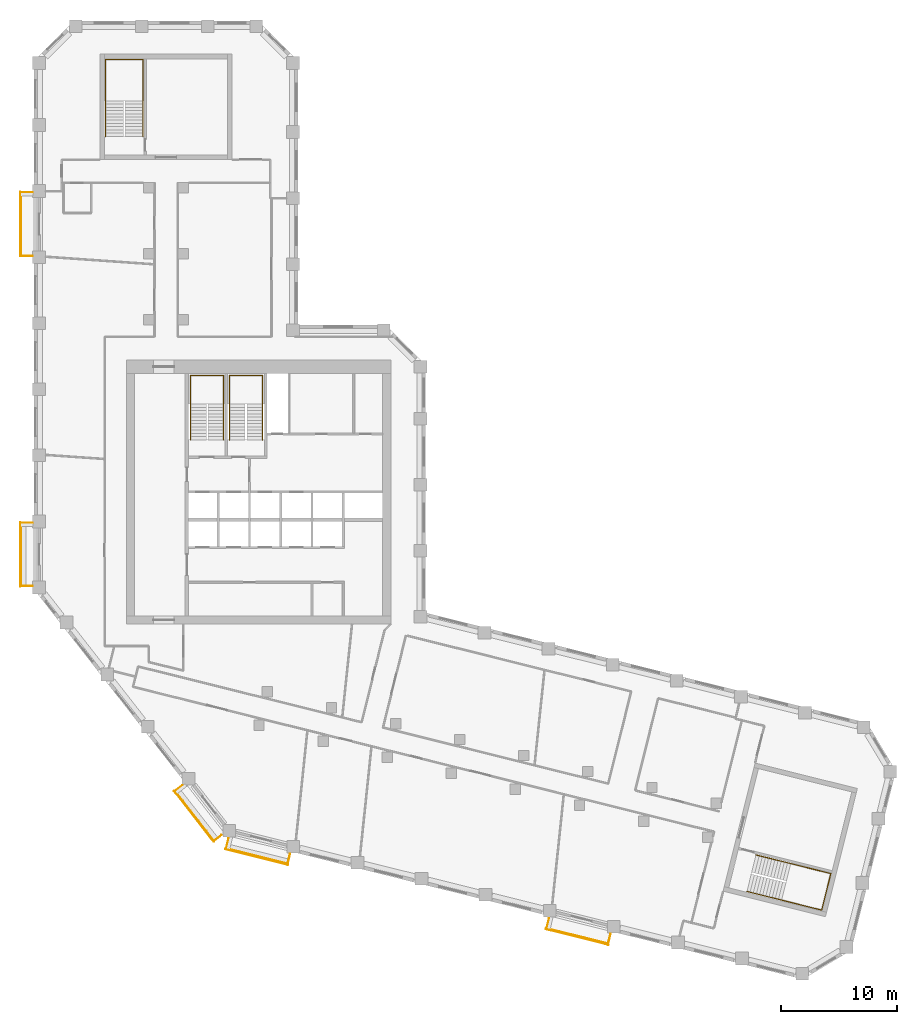
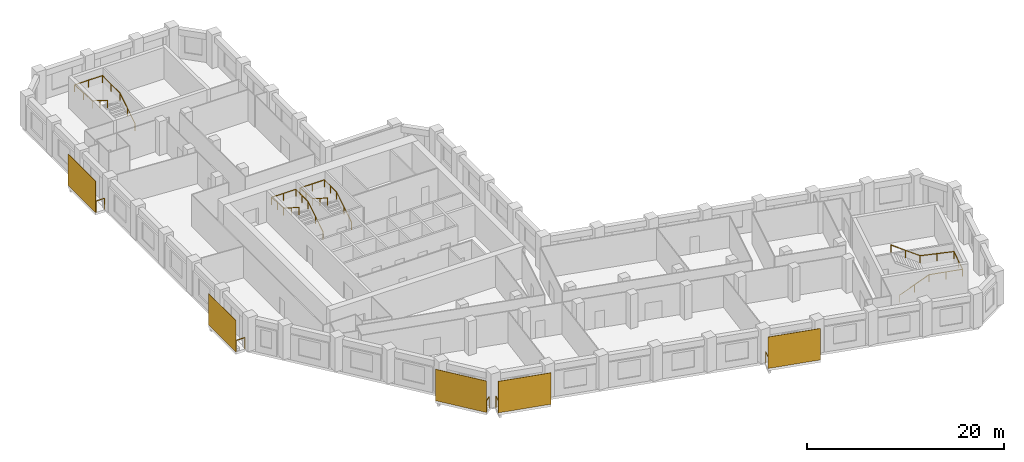
# One storey, part 10 of 10: 9 railings, 5 shading devices.
"""IFC4 building model written with IfcOpenShell, lengths in metres."""

from ifc_helpers import new_model, si_unit, direction, frame, origin, origin_2d, place, context, subcontext, project, spatial, rectangle, circle, extrude, material, layer, layer_set, type_object, element, save


model = new_model("IFC4")

# Units and contexts
model_context = context("Model", 3, precision=1e-05, world=origin(), true_north=direction((0.0, 1.0)))
body_context = subcontext(model_context, "Body", "Model", "MODEL_VIEW")
ifc_project = project(units=[si_unit("LENGTHUNIT", "METRE"), si_unit("AREAUNIT", "SQUARE_METRE"), si_unit("VOLUMEUNIT", "CUBIC_METRE"), si_unit("PLANEANGLEUNIT", "RADIAN"), si_unit("MASSUNIT", "GRAM", prefix="KILO")], contexts=[model_context])

# Site, building, storey
site_placement = place(None, origin())
site = spatial("IfcSite", under=ifc_project, at=site_placement, CompositionType="ELEMENT")
building_placement = place(site_placement, origin())
building = spatial("IfcBuilding", under=site, at=building_placement, Name="Meshkara Civic Tower", CompositionType="ELEMENT")
storey_placement = place(building_placement, frame((0.0, 0.0, 234.0)))
storey = spatial("IfcBuildingStorey", under=building, at=storey_placement, Name="L53", CompositionType="ELEMENT", Elevation=234.0)

# Railings
ifc_material_1 = material(Name="Steel S355", Category="steel")
railing_type_1 = type_object("IfcRailingType", Name="BALUSTRADE GUARD 1400", PredefinedType="BALUSTRADE", material=ifc_material_1)
for number, where, name in (
    (1, (-0.10009765625, 51.3349609375, 0.0), "Balcony guard"),
    (2, (-0.10009765625, 22.8349609375, 0.0), "Balcony guard"),
):
    element("IfcRailing", number, at=place(storey_placement, frame(where)), inside=storey, type_object=railing_type_1, Name=name, PredefinedType="BALUSTRADE", context=body_context, shape_type="SweptSolid", body=[
        extrude(circle(Radius=0.02392578125, at=origin_2d()), frame((0.0, 0.0, 1.3759765625), z_axis=(-1.0, 0.0, 0.0), x_axis=(0.0, -1.0, 0.0)), (0.0, 0.0, 1.0), 1.010009765625),
        extrude(circle(Radius=0.02392578125, at=origin_2d()), frame((-1.010009765625, 0.0, 1.3759765625), z_axis=(0.0, -1.0, 0.0), x_axis=(1.0, 0.0, 0.0)), (0.0, 0.0, 1.0), 5.4599609375),
        extrude(circle(Radius=0.02392578125, at=origin_2d()), frame((-1.010009765625, -5.4599609375, 1.3759765625), z_axis=(1.0, 0.0, 0.0), x_axis=(0.0, 1.0, 0.0)), (0.0, 0.0, 1.0), 1.010009765625),
        extrude(circle(Radius=0.02099609375, at=origin_2d()), origin(), (0.0, 0.0, 1.0), 1.351806640625),
        extrude(circle(Radius=0.02099609375, at=origin_2d()), frame((-1.010009765625, 0.0, 0.0)), (0.0, 0.0, 1.0), 1.351806640625),
        extrude(circle(Radius=0.02099609375, at=origin_2d()), frame((-1.010009765625, -1.092041015625, 0.0)), (0.0, 0.0, 1.0), 1.351806640625),
        extrude(circle(Radius=0.02099609375, at=origin_2d()), frame((-1.010009765625, -2.18408203125, 0.0)), (0.0, 0.0, 1.0), 1.351806640625),
        extrude(circle(Radius=0.02099609375, at=origin_2d()), frame((-1.010009765625, -3.27587890625, 0.0)), (0.0, 0.0, 1.0), 1.351806640625),
        extrude(circle(Radius=0.02099609375, at=origin_2d()), frame((-1.010009765625, -4.367919921875, 0.0)), (0.0, 0.0, 1.0), 1.351806640625),
        extrude(circle(Radius=0.02099609375, at=origin_2d()), frame((-1.010009765625, -5.4599609375, 0.0)), (0.0, 0.0, 1.0), 1.351806640625),
        extrude(circle(Radius=0.02099609375, at=origin_2d()), frame((0.0, -5.4599609375, 0.0)), (0.0, 0.0, 1.0), 1.351806640625),
    ])
railing_1_placement = place(storey_placement, frame((12.806884765625, 0.18408203125, 0.0)))
element("IfcRailing", 3, at=railing_1_placement, inside=storey, type_object=railing_type_1, Name="Balcony guard", PredefinedType="BALUSTRADE", context=body_context, shape_type="SweptSolid", body=[
    extrude(circle(Radius=0.02392578125, at=origin_2d()), frame((0.0, 0.0, 1.3759765625), z_axis=(-0.787982092171, -0.615698158531, 0.0), x_axis=(0.615698158531, -0.787982092171, 0.0)), (0.0, 0.0, 1.0), 0.787841796875),
    extrude(circle(Radius=0.02392578125, at=origin_2d()), frame((-0.620849609375, -0.485107421875, 1.3759765625), z_axis=(0.615684818606, -0.787992515281, 0.0), x_axis=(0.787992515281, 0.615684818606, 0.0)), (0.0, 0.0, 1.0), 5.460693359375),
    extrude(circle(Radius=0.02392578125, at=origin_2d()), frame((2.7412109375, -4.7880859375, 1.3759765625), z_axis=(0.787982092171, 0.615698158531, 0.0), x_axis=(-0.615698158531, 0.787982092171, 0.0)), (0.0, 0.0, 1.0), 0.787841796875),
    extrude(circle(Radius=0.02099609375, at=origin_2d()), origin(), (0.0, 0.0, 1.0), 1.351806640625),
    extrude(circle(Radius=0.02099609375, at=origin_2d()), frame((-0.620849609375, -0.485107421875, 0.0)), (0.0, 0.0, 1.0), 1.351806640625),
    extrude(circle(Radius=0.02099609375, at=origin_2d()), frame((0.051513671875, -1.345703125, 0.0)), (0.0, 0.0, 1.0), 1.351806640625),
    extrude(circle(Radius=0.02099609375, at=origin_2d()), frame((0.723876953125, -2.206298828125, 0.0)), (0.0, 0.0, 1.0), 1.351806640625),
    extrude(circle(Radius=0.02099609375, at=origin_2d()), frame((1.396484375, -3.06689453125, 0.0)), (0.0, 0.0, 1.0), 1.351806640625),
    extrude(circle(Radius=0.02099609375, at=origin_2d()), frame((2.06884765625, -3.927490234375, 0.0)), (0.0, 0.0, 1.0), 1.351806640625),
    extrude(circle(Radius=0.02099609375, at=origin_2d()), frame((2.7412109375, -4.7880859375, 0.0)), (0.0, 0.0, 1.0), 1.351806640625),
    extrude(circle(Radius=0.02099609375, at=origin_2d()), frame((3.362060546875, -4.302978515625, 0.0)), (0.0, 0.0, 1.0), 1.351806640625),
])
railing_2_placement = place(storey_placement, frame((16.805908203125, -4.4140625, 0.0)))
element("IfcRailing", 4, at=railing_2_placement, inside=storey, type_object=railing_type_1, Name="Balcony guard", PredefinedType="BALUSTRADE", context=body_context, shape_type="SweptSolid", body=[
    extrude(circle(Radius=0.02392578125, at=origin_2d()), frame((0.0, 0.0, 1.3759765625), z_axis=(-0.241571021463, -0.970383141645, 0.0), x_axis=(0.970383141645, -0.241571021463, 0.0)), (0.0, 0.0, 1.0), 0.893310546875),
    extrude(circle(Radius=0.02392578125, at=origin_2d()), frame((-0.2158203125, -0.866943359375, 1.3759765625), z_axis=(0.9703315887, -0.241778013829, 0.0), x_axis=(0.241778013829, 0.9703315887, 0.0)), (0.0, 0.0, 1.0), 5.459716796875),
    extrude(circle(Radius=0.02392578125, at=origin_2d()), frame((5.08203125, -2.18701171875, 1.3759765625), z_axis=(0.242085058395, 0.97025503065, 0.0), x_axis=(-0.97025503065, 0.242085058395, 0.0)), (0.0, 0.0, 1.0), 0.892578125),
    extrude(circle(Radius=0.02099609375, at=origin_2d()), origin(), (0.0, 0.0, 1.0), 1.351806640625),
    extrude(circle(Radius=0.02099609375, at=origin_2d()), frame((-0.2158203125, -0.866943359375, 0.0)), (0.0, 0.0, 1.0), 1.351806640625),
    extrude(circle(Radius=0.02099609375, at=origin_2d()), frame((0.84375, -1.130859375, 0.0)), (0.0, 0.0, 1.0), 1.351806640625),
    extrude(circle(Radius=0.02099609375, at=origin_2d()), frame((1.9033203125, -1.39501953125, 0.0)), (0.0, 0.0, 1.0), 1.351806640625),
    extrude(circle(Radius=0.02099609375, at=origin_2d()), frame((2.962890625, -1.658935546875, 0.0)), (0.0, 0.0, 1.0), 1.351806640625),
    extrude(circle(Radius=0.02099609375, at=origin_2d()), frame((4.0224609375, -1.923095703125, 0.0)), (0.0, 0.0, 1.0), 1.351806640625),
    extrude(circle(Radius=0.02099609375, at=origin_2d()), frame((5.08203125, -2.18701171875, 0.0)), (0.0, 0.0, 1.0), 1.351806640625),
    extrude(circle(Radius=0.02099609375, at=origin_2d()), frame((5.298095703125, -1.321044921875, 0.0)), (0.0, 0.0, 1.0), 1.351806640625),
])
railing_3_placement = place(storey_placement, frame((44.4599609375, -11.30810546875, 0.0)))
element("IfcRailing", 5, at=railing_3_placement, inside=storey, type_object=railing_type_1, Name="Balcony guard", PredefinedType="BALUSTRADE", context=body_context, shape_type="SweptSolid", body=[
    extrude(circle(Radius=0.02392578125, at=origin_2d()), frame((0.0, 0.0, 1.3759765625), z_axis=(-0.241828319243, -0.97031905269, 0.0), x_axis=(0.97031905269, -0.241828319243, 0.0)), (0.0, 0.0, 1.0), 0.8935546875),
    extrude(circle(Radius=0.02392578125, at=origin_2d()), frame((-0.216064453125, -0.866943359375, 1.3759765625), z_axis=(0.970281759871, -0.241977904902, 0.0), x_axis=(0.241977904902, 0.970281759871, 0.0)), (0.0, 0.0, 1.0), 5.45947265625),
    extrude(circle(Radius=0.02392578125, at=origin_2d()), frame((5.0810546875, -2.18798828125, 1.3759765625), z_axis=(0.241764216879, 0.970335026389, 0.0), x_axis=(-0.970335026389, 0.241764216879, 0.0)), (0.0, 0.0, 1.0), 0.893798828125),
    extrude(circle(Radius=0.02099609375, at=origin_2d()), origin(), (0.0, 0.0, 1.0), 1.351806640625),
    extrude(circle(Radius=0.02099609375, at=origin_2d()), frame((-0.216064453125, -0.866943359375, 0.0)), (0.0, 0.0, 1.0), 1.351806640625),
    extrude(circle(Radius=0.02099609375, at=origin_2d()), frame((0.84326171875, -1.131103515625, 0.0)), (0.0, 0.0, 1.0), 1.351806640625),
    extrude(circle(Radius=0.02099609375, at=origin_2d()), frame((1.90283203125, -1.395263671875, 0.0)), (0.0, 0.0, 1.0), 1.351806640625),
    extrude(circle(Radius=0.02099609375, at=origin_2d()), frame((2.962158203125, -1.65966796875, 0.0)), (0.0, 0.0, 1.0), 1.351806640625),
    extrude(circle(Radius=0.02099609375, at=origin_2d()), frame((4.021728515625, -1.923828125, 0.0)), (0.0, 0.0, 1.0), 1.351806640625),
    extrude(circle(Radius=0.02099609375, at=origin_2d()), frame((5.0810546875, -2.18798828125, 0.0)), (0.0, 0.0, 1.0), 1.351806640625),
    extrude(circle(Radius=0.02099609375, at=origin_2d()), frame((5.297119140625, -1.32080078125, 0.0)), (0.0, 0.0, 1.0), 1.351806640625),
])

# Shading devices
ifc_material_2 = material(Name="Perforated bronze anodised aluminium sheet", Category="aluminium")
ifc_layer = layer(ifc_material_2, 0.0400390625)
ifc_layer_set = layer_set([ifc_layer], Name="PERFORATED BRONZE SCREEN")
shading_device_type = type_object("IfcShadingDeviceType", Name="PERFORATED BRONZE SCREEN", PredefinedType="USERDEFINED", material=ifc_layer_set)
for number, where, z_axis, x_axis, name in (
    (6, (-1.179931640625, 48.60498046875, 0.0), (0.0, 0.0, 1.0), (0.0, -1.0, 0.0), "Balcony screen"),
    (7, (-1.179931640625, 20.10498046875, 0.0), (0.0, 0.0, 1.0), (0.0, -1.0, 0.0), "Balcony screen"),
    (8, (13.81201171875, -2.4951171875, 0.0), (0.0, 0.0, 1.0), (0.615661475326, -0.788010753607, 0.0), "Balcony screen"),
    (9, (19.221923828125, -6.009033203125, 0.0), (0.0, 0.0, 1.0), (0.970299948462, -0.241904960708, 0.0), "Balcony screen"),
):
    element("IfcShadingDevice", number, at=place(storey_placement, frame(where, z_axis=z_axis, x_axis=x_axis)), inside=storey, type_object=shading_device_type, Name=name, ObjectType="SCREEN", PredefinedType="USERDEFINED", context=body_context, shape_type="SweptSolid", body=[
        extrude(rectangle(XDim=5.580078125, YDim=0.0400390625, at=origin_2d()), origin(), (0.0, 0.0, 1.0), 3.89990234375),
    ])
shading_device_placement = place(storey_placement, frame((46.8759765625, -12.903076171875, 0.0), z_axis=(0.0, 0.0, 1.0), x_axis=(0.970299948462, -0.241904960708, 0.0)))
element("IfcShadingDevice", 10, at=shading_device_placement, inside=storey, type_object=shading_device_type, Name="Balcony screen", ObjectType="SCREEN", PredefinedType="USERDEFINED", context=body_context, shape_type="SweptSolid", body=[
    extrude(rectangle(XDim=5.5791015625, YDim=0.0400390625, at=origin_2d()), origin(), (0.0, 0.0, 1.0), 3.89990234375),
])

# Railings
ifc_material_3 = material(Name="Steel handrail", Category="steel")
railing_type_2 = type_object("IfcRailingType", Name="Stair handrail 900", PredefinedType="HANDRAIL", material=ifc_material_3)
railing_4_placement = place(storey_placement, frame((16.375, 30.0, 0.175048828125)))
element("IfcRailing", 11, at=railing_4_placement, inside=storey, type_object=railing_type_2, Name="L53 ST1 stair handrail 1", PredefinedType="HANDRAIL", context=body_context, shape_type="SweptSolid", body=[
    extrude(circle(Radius=0.02392578125, at=origin_2d()), frame((0.0, 0.0, 0.8759765625), z_axis=(0.0, 0.847998304005, 0.529998940003), x_axis=(-1.0, 0.0, 0.0)), (0.0, 0.0, 1.0), 3.632080078125),
    extrude(circle(Radius=0.02392578125, at=origin_2d()), frame((0.0, 3.080078125, 2.80078125), z_axis=(0.0, 1.0, 0.0), x_axis=(-1.0, 0.0, 0.0)), (0.0, 0.0, 1.0), 2.469970703125),
    extrude(circle(Radius=0.02392578125, at=origin_2d()), frame((0.0, 5.550048828125, 2.80078125), z_axis=(-1.0, 0.0, 0.0), x_axis=(0.0, -1.0, 0.0)), (0.0, 0.0, 1.0), 2.85009765625),
    extrude(circle(Radius=0.02392578125, at=origin_2d()), frame((-2.85009765625, 5.550048828125, 2.80078125), z_axis=(0.0, -0.997505032726, 0.070595394231), x_axis=(1.0, 0.0, 0.0)), (0.0, 0.0, 1.0), 2.47607421875),
    extrude(circle(Radius=0.02392578125, at=origin_2d()), frame((-2.85009765625, 3.080078125, 2.9755859375), z_axis=(0.0, -0.847998304005, 0.529998940003), x_axis=(1.0, 0.0, 0.0)), (0.0, 0.0, 1.0), 3.632080078125),
    extrude(circle(Radius=0.02099609375, at=origin_2d()), origin(), (0.0, 0.0, 1.0), 0.851806640625),
    extrude(circle(Radius=0.02099609375, at=origin_2d()), frame((0.0, 1.5400390625, 0.96240234375)), (0.0, 0.0, 1.0), 0.851806640625),
    extrude(circle(Radius=0.02099609375, at=origin_2d()), frame((0.0, 3.080078125, 1.925048828125)), (0.0, 0.0, 1.0), 0.851806640625),
    extrude(circle(Radius=0.02099609375, at=origin_2d()), frame((0.0, 4.31494140625, 1.925048828125)), (0.0, 0.0, 1.0), 0.851806640625),
    extrude(circle(Radius=0.02099609375, at=origin_2d()), frame((0.0, 5.550048828125, 1.925048828125)), (0.0, 0.0, 1.0), 0.851806640625),
    extrude(circle(Radius=0.02099609375, at=origin_2d()), frame((-1.425048828125, 5.550048828125, 1.925048828125)), (0.0, 0.0, 1.0), 0.851806640625),
    extrude(circle(Radius=0.02099609375, at=origin_2d()), frame((-2.85009765625, 5.550048828125, 1.925048828125)), (0.0, 0.0, 1.0), 0.851806640625),
    extrude(circle(Radius=0.02099609375, at=origin_2d()), frame((-2.85009765625, 4.31494140625, 2.012451171875)), (0.0, 0.0, 1.0), 0.851806640625),
    extrude(circle(Radius=0.02099609375, at=origin_2d()), frame((-2.85009765625, 3.080078125, 2.099853515625)), (0.0, 0.0, 1.0), 0.851806640625),
    extrude(circle(Radius=0.02099609375, at=origin_2d()), frame((-2.85009765625, 1.5400390625, 3.0625)), (0.0, 0.0, 1.0), 0.851806640625),
    extrude(circle(Radius=0.02099609375, at=origin_2d()), frame((-2.85009765625, 0.0, 4.02490234375)), (0.0, 0.0, 1.0), 0.851806640625),
])
railing_5_placement = place(storey_placement, frame((19.72509765625, 30.0, 0.175048828125)))
element("IfcRailing", 12, at=railing_5_placement, inside=storey, type_object=railing_type_2, Name="L53 ST2 stair handrail 1", PredefinedType="HANDRAIL", context=body_context, shape_type="SweptSolid", body=[
    extrude(circle(Radius=0.02392578125, at=origin_2d()), frame((0.0, 0.0, 0.8759765625), z_axis=(0.0, 0.847998304005, 0.529998940003), x_axis=(-1.0, 0.0, 0.0)), (0.0, 0.0, 1.0), 3.632080078125),
    extrude(circle(Radius=0.02392578125, at=origin_2d()), frame((0.0, 3.080078125, 2.80078125), z_axis=(0.0, 1.0, 0.0), x_axis=(-1.0, 0.0, 0.0)), (0.0, 0.0, 1.0), 2.469970703125),
    extrude(circle(Radius=0.02392578125, at=origin_2d()), frame((0.0, 5.550048828125, 2.80078125), z_axis=(-1.0, 0.0, 0.0), x_axis=(0.0, -1.0, 0.0)), (0.0, 0.0, 1.0), 2.85009765625),
    extrude(circle(Radius=0.02392578125, at=origin_2d()), frame((-2.85009765625, 5.550048828125, 2.80078125), z_axis=(0.0, -0.997505032726, 0.070595394231), x_axis=(1.0, 0.0, 0.0)), (0.0, 0.0, 1.0), 2.47607421875),
    extrude(circle(Radius=0.02392578125, at=origin_2d()), frame((-2.85009765625, 3.080078125, 2.9755859375), z_axis=(0.0, -0.847998304005, 0.529998940003), x_axis=(1.0, 0.0, 0.0)), (0.0, 0.0, 1.0), 3.632080078125),
    extrude(circle(Radius=0.02099609375, at=origin_2d()), origin(), (0.0, 0.0, 1.0), 0.851806640625),
    extrude(circle(Radius=0.02099609375, at=origin_2d()), frame((0.0, 1.5400390625, 0.96240234375)), (0.0, 0.0, 1.0), 0.851806640625),
    extrude(circle(Radius=0.02099609375, at=origin_2d()), frame((0.0, 3.080078125, 1.925048828125)), (0.0, 0.0, 1.0), 0.851806640625),
    extrude(circle(Radius=0.02099609375, at=origin_2d()), frame((0.0, 4.31494140625, 1.925048828125)), (0.0, 0.0, 1.0), 0.851806640625),
    extrude(circle(Radius=0.02099609375, at=origin_2d()), frame((0.0, 5.550048828125, 1.925048828125)), (0.0, 0.0, 1.0), 0.851806640625),
    extrude(circle(Radius=0.02099609375, at=origin_2d()), frame((-1.425048828125, 5.550048828125, 1.925048828125)), (0.0, 0.0, 1.0), 0.851806640625),
    extrude(circle(Radius=0.02099609375, at=origin_2d()), frame((-2.85009765625, 5.550048828125, 1.925048828125)), (0.0, 0.0, 1.0), 0.851806640625),
    extrude(circle(Radius=0.02099609375, at=origin_2d()), frame((-2.85009765625, 4.31494140625, 2.012451171875)), (0.0, 0.0, 1.0), 0.851806640625),
    extrude(circle(Radius=0.02099609375, at=origin_2d()), frame((-2.85009765625, 3.080078125, 2.099853515625)), (0.0, 0.0, 1.0), 0.851806640625),
    extrude(circle(Radius=0.02099609375, at=origin_2d()), frame((-2.85009765625, 1.5400390625, 3.0625)), (0.0, 0.0, 1.0), 0.851806640625),
    extrude(circle(Radius=0.02099609375, at=origin_2d()), frame((-2.85009765625, 0.0, 4.02490234375)), (0.0, 0.0, 1.0), 0.851806640625),
])
railing_6_placement = place(storey_placement, frame((9.425048828125, 56.169921875, 0.175048828125)))
element("IfcRailing", 13, at=railing_6_placement, inside=storey, type_object=railing_type_2, Name="L53 ESA4 stair handrail 1", PredefinedType="HANDRAIL", context=body_context, shape_type="SweptSolid", body=[
    extrude(circle(Radius=0.02392578125, at=origin_2d()), frame((0.0, 0.0, 0.8759765625), z_axis=(0.0, 0.847998304005, 0.529998940003), x_axis=(-1.0, 0.0, 0.0)), (0.0, 0.0, 1.0), 3.632080078125),
    extrude(circle(Radius=0.02392578125, at=origin_2d()), frame((0.0, 3.080078125, 2.80078125), z_axis=(0.0, 1.0, 0.0), x_axis=(-1.0, 0.0, 0.0)), (0.0, 0.0, 1.0), 3.570068359375),
    extrude(circle(Radius=0.02392578125, at=origin_2d()), frame((0.0, 6.650146484375, 2.80078125), z_axis=(-1.0, 0.0, 0.0), x_axis=(0.0, -1.0, 0.0)), (0.0, 0.0, 1.0), 3.25),
    extrude(circle(Radius=0.02392578125, at=origin_2d()), frame((-3.25, 6.650146484375, 2.80078125), z_axis=(0.0, -0.998803416417, 0.048905371412), x_axis=(1.0, 0.0, 0.0)), (0.0, 0.0, 1.0), 3.574462890625),
    extrude(circle(Radius=0.02392578125, at=origin_2d()), frame((-3.25, 3.080078125, 2.9755859375), z_axis=(0.0, -0.847998304005, 0.529998940003), x_axis=(1.0, 0.0, 0.0)), (0.0, 0.0, 1.0), 3.632080078125),
    extrude(circle(Radius=0.02099609375, at=origin_2d()), origin(), (0.0, 0.0, 1.0), 0.851806640625),
    extrude(circle(Radius=0.02099609375, at=origin_2d()), frame((0.0, 1.5400390625, 0.96240234375)), (0.0, 0.0, 1.0), 0.851806640625),
    extrude(circle(Radius=0.02099609375, at=origin_2d()), frame((0.0, 3.080078125, 1.925048828125)), (0.0, 0.0, 1.0), 0.851806640625),
    extrude(circle(Radius=0.02099609375, at=origin_2d()), frame((0.0, 4.865234375, 1.925048828125)), (0.0, 0.0, 1.0), 0.851806640625),
    extrude(circle(Radius=0.02099609375, at=origin_2d()), frame((0.0, 6.650146484375, 1.925048828125)), (0.0, 0.0, 1.0), 0.851806640625),
    extrude(circle(Radius=0.02099609375, at=origin_2d()), frame((-1.625, 6.650146484375, 1.925048828125)), (0.0, 0.0, 1.0), 0.851806640625),
    extrude(circle(Radius=0.02099609375, at=origin_2d()), frame((-3.25, 6.650146484375, 1.925048828125)), (0.0, 0.0, 1.0), 0.851806640625),
    extrude(circle(Radius=0.02099609375, at=origin_2d()), frame((-3.25, 4.865234375, 2.012451171875)), (0.0, 0.0, 1.0), 0.851806640625),
    extrude(circle(Radius=0.02099609375, at=origin_2d()), frame((-3.25, 3.080078125, 2.099853515625)), (0.0, 0.0, 1.0), 0.851806640625),
    extrude(circle(Radius=0.02099609375, at=origin_2d()), frame((-3.25, 1.5400390625, 3.0625)), (0.0, 0.0, 1.0), 0.851806640625),
    extrude(circle(Radius=0.02099609375, at=origin_2d()), frame((-3.25, 0.0, 4.02490234375)), (0.0, 0.0, 1.0), 0.851806640625),
])
railing_7_placement = place(storey_placement, frame((61.526123046875, -8.97607421875, 0.175048828125)))
element("IfcRailing", 14, at=railing_7_placement, inside=storey, type_object=railing_type_2, Name="L53 ESB4 stair handrail 1", PredefinedType="HANDRAIL", context=body_context, shape_type="SweptSolid", body=[
    extrude(circle(Radius=0.02392578125, at=origin_2d()), frame((0.0, 0.0, 0.8759765625), z_axis=(0.822771605551, -0.205222362071, 0.530028930537), x_axis=(0.242013336109, 0.97027292302, 0.0)), (0.0, 0.0, 1.0), 3.632080078125),
    extrude(circle(Radius=0.02392578125, at=origin_2d()), frame((2.98828125, -0.745361328125, 2.80078125), z_axis=(0.97025503065, -0.242085058395, 0.0), x_axis=(0.242085058395, 0.97025503065, 0.0)), (0.0, 0.0, 1.0), 3.570068359375),
    extrude(circle(Radius=0.02392578125, at=origin_2d()), frame((6.4521484375, -1.609619140625, 2.80078125), z_axis=(0.242040676986, 0.970266103027, 0.0), x_axis=(-0.970266103027, 0.242040676986, 0.0)), (0.0, 0.0, 1.0), 3.25),
    extrude(circle(Radius=0.02392578125, at=origin_2d()), frame((7.23876953125, 1.543701171875, 2.80078125), z_axis=(-0.969089875828, 0.241811387921, 0.048908743998), x_axis=(-0.24210112213, -0.970251022501, 0.0)), (0.0, 0.0, 1.0), 3.57421875),
    extrude(circle(Radius=0.02392578125, at=origin_2d()), frame((3.775146484375, 2.407958984375, 2.9755859375), z_axis=(-0.822793318929, 0.205211012392, 0.529999617659), x_axis=(-0.24199472324, -0.970277565403, 0.0)), (0.0, 0.0, 1.0), 3.632080078125),
    extrude(circle(Radius=0.02099609375, at=origin_2d()), origin(), (0.0, 0.0, 1.0), 0.851806640625),
    extrude(circle(Radius=0.02099609375, at=origin_2d()), frame((1.494140625, -0.37255859375, 0.96240234375)), (0.0, 0.0, 1.0), 0.851806640625),
    extrude(circle(Radius=0.02099609375, at=origin_2d()), frame((2.98828125, -0.745361328125, 1.925048828125)), (0.0, 0.0, 1.0), 0.851806640625),
    extrude(circle(Radius=0.02099609375, at=origin_2d()), frame((4.72021484375, -1.177490234375, 1.925048828125)), (0.0, 0.0, 1.0), 0.851806640625),
    extrude(circle(Radius=0.02099609375, at=origin_2d()), frame((6.4521484375, -1.609619140625, 1.925048828125)), (0.0, 0.0, 1.0), 0.851806640625),
    extrude(circle(Radius=0.02099609375, at=origin_2d()), frame((6.845458984375, -0.032958984375, 1.925048828125)), (0.0, 0.0, 1.0), 0.851806640625),
    extrude(circle(Radius=0.02099609375, at=origin_2d()), frame((7.23876953125, 1.543701171875, 1.925048828125)), (0.0, 0.0, 1.0), 0.851806640625),
    extrude(circle(Radius=0.02099609375, at=origin_2d()), frame((5.5068359375, 1.975830078125, 2.012451171875)), (0.0, 0.0, 1.0), 0.851806640625),
    extrude(circle(Radius=0.02099609375, at=origin_2d()), frame((3.775146484375, 2.407958984375, 2.099853515625)), (0.0, 0.0, 1.0), 0.851806640625),
    extrude(circle(Radius=0.02099609375, at=origin_2d()), frame((2.28076171875, 2.78076171875, 3.0625)), (0.0, 0.0, 1.0), 0.851806640625),
    extrude(circle(Radius=0.02099609375, at=origin_2d()), frame((0.78662109375, 3.1533203125, 4.02490234375)), (0.0, 0.0, 1.0), 0.851806640625),
])

save(model, "model.ifc")
